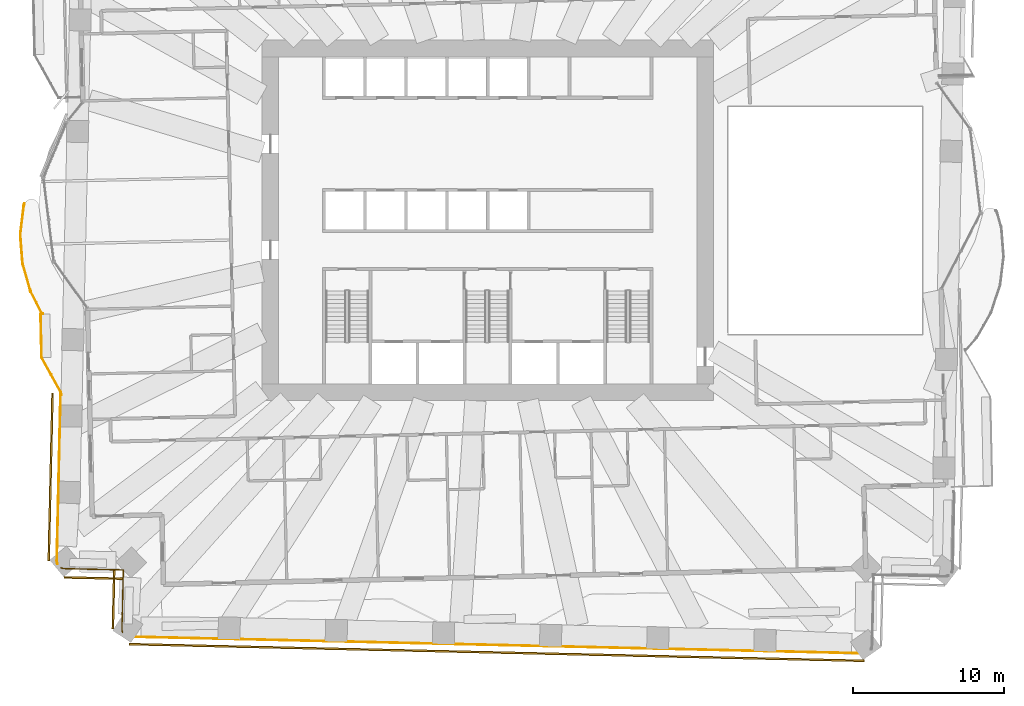
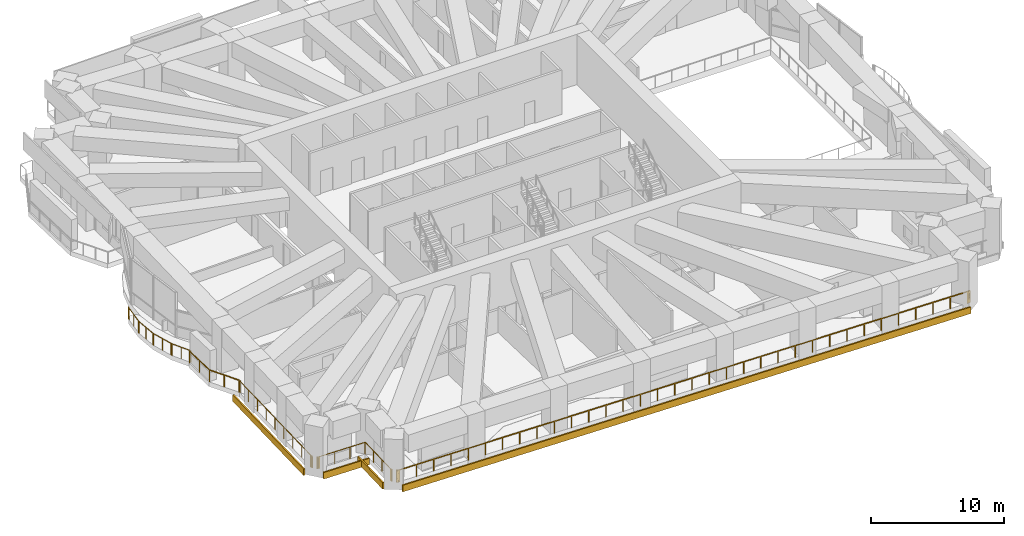
# One storey, part 16 of 20: 5 railings, 4 coverings.
"""IFC4 building model written with IfcOpenShell, lengths in metres."""

from ifc_helpers import new_model, si_unit, direction, frame, frame_2d, origin, origin_2d, place, context, subcontext, project, spatial, rectangle, extrude, material, layer, layer_set, type_object, element, save


model = new_model("IFC4")

# Units and contexts
model_context = context("Model", 3, precision=1e-05, world=origin(), true_north=direction((0.0, 1.0)))
body_context = subcontext(model_context, "Body", "Model", "MODEL_VIEW")
ifc_project = project(units=[si_unit("LENGTHUNIT", "METRE"), si_unit("AREAUNIT", "SQUARE_METRE"), si_unit("VOLUMEUNIT", "CUBIC_METRE"), si_unit("PLANEANGLEUNIT", "RADIAN"), si_unit("MASSUNIT", "GRAM", prefix="KILO")], contexts=[model_context])

# Site, building, storey
site_placement = place(None, origin())
site = spatial("IfcSite", under=ifc_project, at=site_placement, CompositionType="ELEMENT")
building_placement = place(site_placement, origin())
building = spatial("IfcBuilding", under=site, at=building_placement, Name="Mangrove Gate Tower", CompositionType="ELEMENT")
storey_placement = place(building_placement, frame((0.0, 0.0, 74.699951171875)))
storey = spatial("IfcBuildingStorey", under=building, at=storey_placement, Name="L18", CompositionType="ELEMENT", Elevation=74.699951171875)

# Railings
ifc_material_1 = material(Name="Stainless steel grade 316 with laminated glass infill", Category="steel")
railing_type = type_object("IfcRailingType", Name="Balcony guard 1100", PredefinedType="GUARDRAIL", material=ifc_material_1)
railing_1_placement = place(storey_placement, frame((-29.51611328125, -6.18505859375, 0.0)))
element("IfcRailing", 1, at=railing_1_placement, inside=storey, type_object=railing_type, Name="GUARD L18 W2", PredefinedType="GUARDRAIL", context=body_context, shape_type="SweptSolid", body=[
    extrude(rectangle(XDim=0.048095703125, YDim=0.048095703125, at=origin_2d()), frame((0.0, 0.0, 1.076171875), z_axis=(0.02269244629, -0.999742493286, 0.0), x_axis=(0.999742493286, 0.02269244629, 0.0)), (0.0, 0.0, 1.0), 2.87255859375),
    extrude(rectangle(XDim=0.048095703125, YDim=0.048095703125, at=origin_2d()), frame((0.065185546875, -2.871826171875, 1.076171875), z_axis=(0.487331051883, -0.873217295907, 0.0), x_axis=(0.873217295907, 0.487331051883, 0.0)), (0.0, 0.0, 1.0), 2.589599609375),
    extrude(rectangle(XDim=0.0419921875, YDim=0.0419921875, at=origin_2d()), origin(), (0.0, 0.0, 1.0), 1.052001953125),
    extrude(rectangle(XDim=0.0419921875, YDim=0.0419921875, at=origin_2d()), frame((0.03271484375, -1.43603515625, 0.0)), (0.0, 0.0, 1.0), 1.052001953125),
    extrude(rectangle(XDim=0.0419921875, YDim=0.0419921875, at=origin_2d()), frame((0.065185546875, -2.871826171875, 0.0)), (0.0, 0.0, 1.0), 1.052001953125),
    extrude(rectangle(XDim=0.0419921875, YDim=0.0419921875, at=origin_2d()), frame((0.6962890625, -4.00244140625, 0.0)), (0.0, 0.0, 1.0), 1.052001953125),
    extrude(rectangle(XDim=0.0419921875, YDim=0.0419921875, at=origin_2d()), frame((1.3271484375, -5.133056640625, 0.0)), (0.0, 0.0, 1.0), 1.052001953125),
])
railing_2_placement = place(storey_placement, frame((-29.360107421875, -6.159912109375, 0.0)))
element("IfcRailing", 2, at=railing_2_placement, inside=storey, type_object=railing_type, Name="GUARD L18 T3.1", PredefinedType="GUARDRAIL", context=body_context, shape_type="SweptSolid", body=[
    extrude(rectangle(XDim=0.048095703125, YDim=0.048095703125, at=origin_2d()), frame((0.0, 0.0, 1.076171875), z_axis=(-0.999847482507, -0.017464584847, 0.0), x_axis=(0.017464584847, -0.999847482507, 0.0)), (0.0, 0.0, 1.0), 0.055908203125),
    extrude(rectangle(XDim=0.048095703125, YDim=0.048095703125, at=origin_2d()), frame((-0.055908203125, -0.0009765625, 1.076171875), z_axis=(-0.458445495412, 0.888722525728, 0.0), x_axis=(-0.888722525728, -0.458445495412, 0.0)), (0.0, 0.0, 1.0), 1.63818359375),
    extrude(rectangle(XDim=0.048095703125, YDim=0.048095703125, at=origin_2d()), frame((-0.806884765625, 1.454833984375, 1.076171875), z_axis=(-0.405221240895, 0.914218653238, 0.0), x_axis=(-0.914218653238, -0.405221240895, 0.0)), (0.0, 0.0, 1.0), 0.04931640625),
    extrude(rectangle(XDim=0.048095703125, YDim=0.048095703125, at=origin_2d()), frame((-0.826904296875, 1.5, 1.076171875), z_axis=(-0.314774589417, 0.949166454242, 0.0), x_axis=(-0.949166454242, -0.314774589417, 0.0)), (0.0, 0.0, 1.0), 0.05029296875),
    extrude(rectangle(XDim=0.048095703125, YDim=0.048095703125, at=origin_2d()), frame((-0.8427734375, 1.5478515625, 1.076171875), z_axis=(-0.273724656823, 0.961808095333, 0.0), x_axis=(-0.961808095333, -0.273724656823, 0.0)), (0.0, 0.0, 1.0), 1.8125),
    extrude(rectangle(XDim=0.048095703125, YDim=0.048095703125, at=origin_2d()), frame((-1.3388671875, 3.291015625, 1.076171875), z_axis=(-0.219512195122, 0.975609756098, 0.0), x_axis=(-0.975609756098, -0.219512195122, 0.0)), (0.0, 0.0, 1.0), 0.050048828125),
    extrude(rectangle(XDim=0.048095703125, YDim=0.048095703125, at=origin_2d()), frame((-1.349853515625, 3.33984375, 1.076171875), z_axis=(-0.123427070371, 0.992353645783, 0.0), x_axis=(-0.992353645783, -0.123427070371, 0.0)), (0.0, 0.0, 1.0), 0.049560546875),
    extrude(rectangle(XDim=0.048095703125, YDim=0.048095703125, at=origin_2d()), frame((-1.35595703125, 3.388916015625, 1.076171875), z_axis=(-0.07713916449, 0.99702033545, 0.0), x_axis=(-0.99702033545, -0.07713916449, 0.0)), (0.0, 0.0, 1.0), 1.8134765625),
    extrude(rectangle(XDim=0.048095703125, YDim=0.048095703125, at=origin_2d()), frame((-1.495849609375, 5.197021484375, 1.076171875), z_axis=(-0.019604074934, 0.999807821657, 0.0), x_axis=(-0.999807821657, -0.019604074934, 0.0)), (0.0, 0.0, 1.0), 0.0498046875),
    extrude(rectangle(XDim=0.048095703125, YDim=0.048095703125, at=origin_2d()), frame((-1.496826171875, 5.246826171875, 1.076171875), z_axis=(0.059595380047, 0.998222615791, 0.0), x_axis=(-0.998222615791, 0.059595380047, 0.0)), (0.0, 0.0, 1.0), 0.049072265625),
    extrude(rectangle(XDim=0.048095703125, YDim=0.048095703125, at=origin_2d()), frame((-1.493896484375, 5.2958984375, 1.076171875), z_axis=(0.122426666304, 0.992477562153, 0.0), x_axis=(-0.992477562153, 0.122426666304, 0.0)), (0.0, 0.0, 1.0), 1.812744140625),
    extrude(rectangle(XDim=0.048095703125, YDim=0.048095703125, at=origin_2d()), frame((-1.27197265625, 7.094970703125, 1.076171875), z_axis=(0.158929596648, 0.98728991857, 0.0), x_axis=(-0.98728991857, 0.158929596648, 0.0)), (0.0, 0.0, 1.0), 0.05078125),
    extrude(rectangle(XDim=0.048095703125, YDim=0.048095703125, at=origin_2d()), frame((-1.263916015625, 7.14501953125, 1.076171875), z_axis=(0.279247415681, 0.960219183747, 0.0), x_axis=(-0.960219183747, 0.279247415681, 0.0)), (0.0, 0.0, 1.0), 0.0498046875),
    extrude(rectangle(XDim=0.048095703125, YDim=0.048095703125, at=origin_2d()), frame((-1.25, 7.19287109375, 1.076171875), z_axis=(0.325745820547, 0.945457381587, 0.0), x_axis=(-0.945457381587, 0.325745820547, 0.0)), (0.0, 0.0, 1.0), 0.03076171875),
    extrude(rectangle(XDim=0.048095703125, YDim=0.048095703125, at=origin_2d()), frame((-1.239990234375, 7.221923828125, 1.076171875), z_axis=(0.366264831108, 0.930510652004, 0.0), x_axis=(-0.930510652004, 0.366264831108, 0.0)), (0.0, 0.0, 1.0), 0.04931640625),
    extrude(rectangle(XDim=0.0419921875, YDim=0.0419921875, at=origin_2d()), origin(), (0.0, 0.0, 1.0), 1.052001953125),
    extrude(rectangle(XDim=0.0419921875, YDim=0.0419921875, at=origin_2d()), frame((-0.055908203125, -0.0009765625, 0.0)), (0.0, 0.0, 1.0), 1.052001953125),
    extrude(rectangle(XDim=0.0419921875, YDim=0.0419921875, at=origin_2d()), frame((-0.431396484375, 0.72705078125, 0.0)), (0.0, 0.0, 1.0), 1.052001953125),
    extrude(rectangle(XDim=0.0419921875, YDim=0.0419921875, at=origin_2d()), frame((-0.806884765625, 1.454833984375, 0.0)), (0.0, 0.0, 1.0), 1.052001953125),
    extrude(rectangle(XDim=0.0419921875, YDim=0.0419921875, at=origin_2d()), frame((-0.826904296875, 1.5, 0.0)), (0.0, 0.0, 1.0), 1.052001953125),
    extrude(rectangle(XDim=0.0419921875, YDim=0.0419921875, at=origin_2d()), frame((-0.8427734375, 1.5478515625, 0.0)), (0.0, 0.0, 1.0), 1.052001953125),
    extrude(rectangle(XDim=0.0419921875, YDim=0.0419921875, at=origin_2d()), frame((-1.0908203125, 2.41943359375, 0.0)), (0.0, 0.0, 1.0), 1.052001953125),
    extrude(rectangle(XDim=0.0419921875, YDim=0.0419921875, at=origin_2d()), frame((-1.3388671875, 3.291015625, 0.0)), (0.0, 0.0, 1.0), 1.052001953125),
    extrude(rectangle(XDim=0.0419921875, YDim=0.0419921875, at=origin_2d()), frame((-1.349853515625, 3.33984375, 0.0)), (0.0, 0.0, 1.0), 1.052001953125),
    extrude(rectangle(XDim=0.0419921875, YDim=0.0419921875, at=origin_2d()), frame((-1.35595703125, 3.388916015625, 0.0)), (0.0, 0.0, 1.0), 1.052001953125),
    extrude(rectangle(XDim=0.0419921875, YDim=0.0419921875, at=origin_2d()), frame((-1.42578125, 4.29296875, 0.0)), (0.0, 0.0, 1.0), 1.052001953125),
    extrude(rectangle(XDim=0.0419921875, YDim=0.0419921875, at=origin_2d()), frame((-1.495849609375, 5.197021484375, 0.0)), (0.0, 0.0, 1.0), 1.052001953125),
    extrude(rectangle(XDim=0.0419921875, YDim=0.0419921875, at=origin_2d()), frame((-1.496826171875, 5.246826171875, 0.0)), (0.0, 0.0, 1.0), 1.052001953125),
    extrude(rectangle(XDim=0.0419921875, YDim=0.0419921875, at=origin_2d()), frame((-1.493896484375, 5.2958984375, 0.0)), (0.0, 0.0, 1.0), 1.052001953125),
    extrude(rectangle(XDim=0.0419921875, YDim=0.0419921875, at=origin_2d()), frame((-1.3828125, 6.1953125, 0.0)), (0.0, 0.0, 1.0), 1.052001953125),
    extrude(rectangle(XDim=0.0419921875, YDim=0.0419921875, at=origin_2d()), frame((-1.27197265625, 7.094970703125, 0.0)), (0.0, 0.0, 1.0), 1.052001953125),
    extrude(rectangle(XDim=0.0419921875, YDim=0.0419921875, at=origin_2d()), frame((-1.263916015625, 7.14501953125, 0.0)), (0.0, 0.0, 1.0), 1.052001953125),
    extrude(rectangle(XDim=0.0419921875, YDim=0.0419921875, at=origin_2d()), frame((-1.25, 7.19287109375, 0.0)), (0.0, 0.0, 1.0), 1.052001953125),
    extrude(rectangle(XDim=0.0419921875, YDim=0.0419921875, at=origin_2d()), frame((-1.239990234375, 7.221923828125, 0.0)), (0.0, 0.0, 1.0), 1.052001953125),
    extrude(rectangle(XDim=0.0419921875, YDim=0.0419921875, at=origin_2d()), frame((-1.221923828125, 7.267822265625, 0.0)), (0.0, 0.0, 1.0), 1.052001953125),
])
railing_3_placement = place(storey_placement, frame((25.0810546875, -28.5400390625, 0.0)))
element("IfcRailing", 3, at=railing_3_placement, inside=storey, type_object=railing_type, Name="GUARD L18 T4.4", PredefinedType="GUARDRAIL", context=body_context, shape_type="SweptSolid", body=[
    extrude(rectangle(XDim=0.048095703125, YDim=0.048095703125, at=origin_2d()), frame((0.0, 0.0, 1.076171875), z_axis=(-0.921797458045, -0.38767182815, 0.0), x_axis=(0.38767182815, -0.921797458045, 0.0)), (0.0, 0.0, 1.0), 0.0283203125),
    extrude(rectangle(XDim=0.048095703125, YDim=0.048095703125, at=origin_2d()), frame((-0.026123046875, -0.010986328125, 1.076171875), z_axis=(-0.95118268282, -0.308628423681, 0.0), x_axis=(0.308628423681, -0.95118268282, 0.0)), (0.0, 0.0, 1.0), 0.04833984375),
    extrude(rectangle(XDim=0.048095703125, YDim=0.048095703125, at=origin_2d()), frame((-0.072021484375, -0.02587890625, 1.076171875), z_axis=(-0.974889210585, -0.222690428814, 0.0), x_axis=(0.222690428814, -0.974889210585, 0.0)), (0.0, 0.0, 1.0), 0.04931640625),
    extrude(rectangle(XDim=0.048095703125, YDim=0.048095703125, at=origin_2d()), frame((-0.1201171875, -0.036865234375, 1.076171875), z_axis=(-0.992277876714, -0.124034734589, 0.0), x_axis=(0.124034734589, -0.992277876714, 0.0)), (0.0, 0.0, 1.0), 0.04931640625),
    extrude(rectangle(XDim=0.048095703125, YDim=0.048095703125, at=origin_2d()), frame((-0.1689453125, -0.04296875, 1.076171875), z_axis=(-0.999208880195, -0.039769507669, 0.0), x_axis=(0.039769507669, -0.999208880195, 0.0)), (0.0, 0.0, 1.0), 0.049072265625),
    extrude(rectangle(XDim=0.048095703125, YDim=0.048095703125, at=origin_2d()), frame((-0.218017578125, -0.044921875, 1.076171875), z_axis=(-0.999742650304, 0.022685527601, 0.0), x_axis=(-0.022685527601, -0.999742650304, 0.0)), (0.0, 0.0, 1.0), 48.536376953125),
    extrude(rectangle(XDim=0.048095703125, YDim=0.048095703125, at=origin_2d()), frame((-48.741943359375, 1.05615234375, 1.076171875), z_axis=(-0.996846739125, 0.079350984209, 0.0), x_axis=(-0.079350984209, -0.996846739125, 0.0)), (0.0, 0.0, 1.0), 0.04931640625),
    extrude(rectangle(XDim=0.048095703125, YDim=0.048095703125, at=origin_2d()), frame((-48.791015625, 1.06005859375, 1.076171875), z_axis=(-0.986258281976, 0.165210778199, 0.0), x_axis=(-0.165210778199, -0.986258281976, 0.0)), (0.0, 0.0, 1.0), 0.048828125),
    extrude(rectangle(XDim=0.048095703125, YDim=0.048095703125, at=origin_2d()), frame((-48.839111328125, 1.068115234375, 1.076171875), z_axis=(-0.963948224108, 0.266089874363, 0.0), x_axis=(-0.266089874363, -0.963948224108, 0.0)), (0.0, 0.0, 1.0), 0.048583984375),
    extrude(rectangle(XDim=0.048095703125, YDim=0.048095703125, at=origin_2d()), frame((-48.885986328125, 1.0810546875, 1.076171875), z_axis=(-0.931170070305, 0.364585106892, 0.0), x_axis=(-0.364585106892, -0.931170070305, 0.0)), (0.0, 0.0, 1.0), 0.049560546875),
    extrude(rectangle(XDim=0.048095703125, YDim=0.048095703125, at=origin_2d()), frame((-48.93212890625, 1.09912109375, 1.076171875), z_axis=(-0.901385111422, 0.43301833784, 0.0), x_axis=(-0.43301833784, -0.901385111422, 0.0)), (0.0, 0.0, 1.0), 0.027587890625),
    extrude(rectangle(XDim=0.0419921875, YDim=0.0419921875, at=origin_2d()), origin(), (0.0, 0.0, 1.0), 1.052001953125),
    extrude(rectangle(XDim=0.0419921875, YDim=0.0419921875, at=origin_2d()), frame((-0.026123046875, -0.010986328125, 0.0)), (0.0, 0.0, 1.0), 1.052001953125),
    extrude(rectangle(XDim=0.0419921875, YDim=0.0419921875, at=origin_2d()), frame((-0.072021484375, -0.02587890625, 0.0)), (0.0, 0.0, 1.0), 1.052001953125),
    extrude(rectangle(XDim=0.0419921875, YDim=0.0419921875, at=origin_2d()), frame((-0.1201171875, -0.036865234375, 0.0)), (0.0, 0.0, 1.0), 1.052001953125),
    extrude(rectangle(XDim=0.0419921875, YDim=0.0419921875, at=origin_2d()), frame((-0.1689453125, -0.04296875, 0.0)), (0.0, 0.0, 1.0), 1.052001953125),
    extrude(rectangle(XDim=0.0419921875, YDim=0.0419921875, at=origin_2d()), frame((-0.218017578125, -0.044921875, 0.0)), (0.0, 0.0, 1.0), 1.052001953125),
    extrude(rectangle(XDim=0.0419921875, YDim=0.0419921875, at=origin_2d()), frame((-1.6884765625, -0.011474609375, 0.0)), (0.0, 0.0, 1.0), 1.052001953125),
    extrude(rectangle(XDim=0.0419921875, YDim=0.0419921875, at=origin_2d()), frame((-3.158935546875, 0.021728515625, 0.0)), (0.0, 0.0, 1.0), 1.052001953125),
    extrude(rectangle(XDim=0.0419921875, YDim=0.0419921875, at=origin_2d()), frame((-4.62939453125, 0.05517578125, 0.0)), (0.0, 0.0, 1.0), 1.052001953125),
    extrude(rectangle(XDim=0.0419921875, YDim=0.0419921875, at=origin_2d()), frame((-6.099609375, 0.088623046875, 0.0)), (0.0, 0.0, 1.0), 1.052001953125),
    extrude(rectangle(XDim=0.0419921875, YDim=0.0419921875, at=origin_2d()), frame((-7.570068359375, 0.121826171875, 0.0)), (0.0, 0.0, 1.0), 1.052001953125),
    extrude(rectangle(XDim=0.0419921875, YDim=0.0419921875, at=origin_2d()), frame((-9.04052734375, 0.1552734375, 0.0)), (0.0, 0.0, 1.0), 1.052001953125),
    extrude(rectangle(XDim=0.0419921875, YDim=0.0419921875, at=origin_2d()), frame((-10.510986328125, 0.188720703125, 0.0)), (0.0, 0.0, 1.0), 1.052001953125),
    extrude(rectangle(XDim=0.0419921875, YDim=0.0419921875, at=origin_2d()), frame((-11.9814453125, 0.221923828125, 0.0)), (0.0, 0.0, 1.0), 1.052001953125),
    extrude(rectangle(XDim=0.0419921875, YDim=0.0419921875, at=origin_2d()), frame((-13.451904296875, 0.25537109375, 0.0)), (0.0, 0.0, 1.0), 1.052001953125),
    extrude(rectangle(XDim=0.0419921875, YDim=0.0419921875, at=origin_2d()), frame((-14.922119140625, 0.288818359375, 0.0)), (0.0, 0.0, 1.0), 1.052001953125),
    extrude(rectangle(XDim=0.0419921875, YDim=0.0419921875, at=origin_2d()), frame((-16.392578125, 0.322021484375, 0.0)), (0.0, 0.0, 1.0), 1.052001953125),
    extrude(rectangle(XDim=0.0419921875, YDim=0.0419921875, at=origin_2d()), frame((-17.863037109375, 0.35546875, 0.0)), (0.0, 0.0, 1.0), 1.052001953125),
    extrude(rectangle(XDim=0.0419921875, YDim=0.0419921875, at=origin_2d()), frame((-19.33349609375, 0.388916015625, 0.0)), (0.0, 0.0, 1.0), 1.052001953125),
    extrude(rectangle(XDim=0.0419921875, YDim=0.0419921875, at=origin_2d()), frame((-20.803955078125, 0.422119140625, 0.0)), (0.0, 0.0, 1.0), 1.052001953125),
    extrude(rectangle(XDim=0.0419921875, YDim=0.0419921875, at=origin_2d()), frame((-22.2744140625, 0.45556640625, 0.0)), (0.0, 0.0, 1.0), 1.052001953125),
    extrude(rectangle(XDim=0.0419921875, YDim=0.0419921875, at=origin_2d()), frame((-23.744873046875, 0.489013671875, 0.0)), (0.0, 0.0, 1.0), 1.052001953125),
    extrude(rectangle(XDim=0.0419921875, YDim=0.0419921875, at=origin_2d()), frame((-25.215087890625, 0.522216796875, 0.0)), (0.0, 0.0, 1.0), 1.052001953125),
    extrude(rectangle(XDim=0.0419921875, YDim=0.0419921875, at=origin_2d()), frame((-26.685546875, 0.5556640625, 0.0)), (0.0, 0.0, 1.0), 1.052001953125),
    extrude(rectangle(XDim=0.0419921875, YDim=0.0419921875, at=origin_2d()), frame((-28.156005859375, 0.589111328125, 0.0)), (0.0, 0.0, 1.0), 1.052001953125),
    extrude(rectangle(XDim=0.0419921875, YDim=0.0419921875, at=origin_2d()), frame((-29.62646484375, 0.622314453125, 0.0)), (0.0, 0.0, 1.0), 1.052001953125),
    extrude(rectangle(XDim=0.0419921875, YDim=0.0419921875, at=origin_2d()), frame((-31.096923828125, 0.65576171875, 0.0)), (0.0, 0.0, 1.0), 1.052001953125),
    extrude(rectangle(XDim=0.0419921875, YDim=0.0419921875, at=origin_2d()), frame((-32.5673828125, 0.689208984375, 0.0)), (0.0, 0.0, 1.0), 1.052001953125),
    extrude(rectangle(XDim=0.0419921875, YDim=0.0419921875, at=origin_2d()), frame((-34.037841796875, 0.722412109375, 0.0)), (0.0, 0.0, 1.0), 1.052001953125),
    extrude(rectangle(XDim=0.0419921875, YDim=0.0419921875, at=origin_2d()), frame((-35.508056640625, 0.755859375, 0.0)), (0.0, 0.0, 1.0), 1.052001953125),
    extrude(rectangle(XDim=0.0419921875, YDim=0.0419921875, at=origin_2d()), frame((-36.978515625, 0.789306640625, 0.0)), (0.0, 0.0, 1.0), 1.052001953125),
    extrude(rectangle(XDim=0.0419921875, YDim=0.0419921875, at=origin_2d()), frame((-38.448974609375, 0.822509765625, 0.0)), (0.0, 0.0, 1.0), 1.052001953125),
    extrude(rectangle(XDim=0.0419921875, YDim=0.0419921875, at=origin_2d()), frame((-39.91943359375, 0.85595703125, 0.0)), (0.0, 0.0, 1.0), 1.052001953125),
    extrude(rectangle(XDim=0.0419921875, YDim=0.0419921875, at=origin_2d()), frame((-41.389892578125, 0.889404296875, 0.0)), (0.0, 0.0, 1.0), 1.052001953125),
    extrude(rectangle(XDim=0.0419921875, YDim=0.0419921875, at=origin_2d()), frame((-42.8603515625, 0.922607421875, 0.0)), (0.0, 0.0, 1.0), 1.052001953125),
    extrude(rectangle(XDim=0.0419921875, YDim=0.0419921875, at=origin_2d()), frame((-44.33056640625, 0.9560546875, 0.0)), (0.0, 0.0, 1.0), 1.052001953125),
    extrude(rectangle(XDim=0.0419921875, YDim=0.0419921875, at=origin_2d()), frame((-45.801025390625, 0.989501953125, 0.0)), (0.0, 0.0, 1.0), 1.052001953125),
    extrude(rectangle(XDim=0.0419921875, YDim=0.0419921875, at=origin_2d()), frame((-47.271484375, 1.022705078125, 0.0)), (0.0, 0.0, 1.0), 1.052001953125),
    extrude(rectangle(XDim=0.0419921875, YDim=0.0419921875, at=origin_2d()), frame((-48.741943359375, 1.05615234375, 0.0)), (0.0, 0.0, 1.0), 1.052001953125),
    extrude(rectangle(XDim=0.0419921875, YDim=0.0419921875, at=origin_2d()), frame((-48.791015625, 1.06005859375, 0.0)), (0.0, 0.0, 1.0), 1.052001953125),
    extrude(rectangle(XDim=0.0419921875, YDim=0.0419921875, at=origin_2d()), frame((-48.839111328125, 1.068115234375, 0.0)), (0.0, 0.0, 1.0), 1.052001953125),
    extrude(rectangle(XDim=0.0419921875, YDim=0.0419921875, at=origin_2d()), frame((-48.885986328125, 1.0810546875, 0.0)), (0.0, 0.0, 1.0), 1.052001953125),
    extrude(rectangle(XDim=0.0419921875, YDim=0.0419921875, at=origin_2d()), frame((-48.93212890625, 1.09912109375, 0.0)), (0.0, 0.0, 1.0), 1.052001953125),
    extrude(rectangle(XDim=0.0419921875, YDim=0.0419921875, at=origin_2d()), frame((-48.95703125, 1.111083984375, 0.0)), (0.0, 0.0, 1.0), 1.052001953125),
])
railing_4_placement = place(storey_placement, frame((-24.10400390625, -27.18994140625, 0.0)))
element("IfcRailing", 4, at=railing_4_placement, inside=storey, type_object=railing_type, Name="GUARD L18 T4.5", PredefinedType="GUARDRAIL", context=body_context, shape_type="SweptSolid", body=[
    extrude(rectangle(XDim=0.048095703125, YDim=0.048095703125, at=origin_2d()), frame((0.0, 0.0, 1.076171875), z_axis=(-0.390772844543, 0.920487144923, 0.0), x_axis=(-0.920487144923, -0.390772844543, 0.0)), (0.0, 0.0, 1.0), 0.028076171875),
    extrude(rectangle(XDim=0.048095703125, YDim=0.048095703125, at=origin_2d()), frame((-0.010986328125, 0.02587890625, 1.076171875), z_axis=(-0.329682832837, 0.944091748578, 0.0), x_axis=(-0.944091748578, -0.329682832837, 0.0)), (0.0, 0.0, 1.0), 0.048828125),
    extrude(rectangle(XDim=0.048095703125, YDim=0.048095703125, at=origin_2d()), frame((-0.027099609375, 0.072021484375, 1.076171875), z_axis=(-0.223769850009, 0.974642013371, 0.0), x_axis=(-0.974642013371, -0.223769850009, 0.0)), (0.0, 0.0, 1.0), 0.049072265625),
    extrude(rectangle(XDim=0.048095703125, YDim=0.048095703125, at=origin_2d()), frame((-0.0380859375, 0.119873046875, 1.076171875), z_axis=(-0.118560811125, 0.992946793169, 0.0), x_axis=(-0.992946793169, -0.118560811125, 0.0)), (0.0, 0.0, 1.0), 0.04931640625),
    extrude(rectangle(XDim=0.048095703125, YDim=0.048095703125, at=origin_2d()), frame((-0.0439453125, 0.1689453125, 1.076171875), z_axis=(-0.019896558087, 0.999802043895, 0.0), x_axis=(-0.999802043895, -0.019896558087, 0.0)), (0.0, 0.0, 1.0), 0.049072265625),
    extrude(rectangle(XDim=0.048095703125, YDim=0.048095703125, at=origin_2d()), frame((-0.044921875, 0.218017578125, 1.076171875), z_axis=(0.022611544731, 0.999744326338, 0.0), x_axis=(-0.999744326338, 0.022611544731, 0.0)), (0.0, 0.0, 1.0), 3.886962890625),
    extrude(rectangle(XDim=0.048095703125, YDim=0.048095703125, at=origin_2d()), frame((0.04296875, 4.10400390625, 1.076171875), z_axis=(0.0, 1.0, 0.0), x_axis=(-1.0, 0.0, 0.0)), (0.0, 0.0, 1.0), 0.011962890625),
    extrude(rectangle(XDim=0.048095703125, YDim=0.048095703125, at=origin_2d()), frame((0.04296875, 4.115966796875, 1.076171875), z_axis=(-0.996684615823, 0.081362009455, 0.0), x_axis=(-0.081362009455, -0.996684615823, 0.0)), (0.0, 0.0, 1.0), 0.011962890625),
    extrude(rectangle(XDim=0.048095703125, YDim=0.048095703125, at=origin_2d()), frame((0.031005859375, 4.116943359375, 1.076171875), z_axis=(-0.999744454744, 0.022605866699, 0.0), x_axis=(-0.022605866699, -0.999744454744, 0.0)), (0.0, 0.0, 1.0), 3.887939453125),
    extrude(rectangle(XDim=0.048095703125, YDim=0.048095703125, at=origin_2d()), frame((-3.85595703125, 4.204833984375, 1.076171875), z_axis=(-0.996442430759, 0.084276225487, 0.0), x_axis=(-0.084276225487, -0.996442430759, 0.0)), (0.0, 0.0, 1.0), 0.04931640625),
    extrude(rectangle(XDim=0.048095703125, YDim=0.048095703125, at=origin_2d()), frame((-3.905029296875, 4.208984375, 1.076171875), z_axis=(-0.986120615914, 0.166030511863, 0.0), x_axis=(-0.166030511863, -0.986120615914, 0.0)), (0.0, 0.0, 1.0), 0.048583984375),
    extrude(rectangle(XDim=0.048095703125, YDim=0.048095703125, at=origin_2d()), frame((-3.952880859375, 4.217041015625, 1.076171875), z_axis=(-0.964301134924, 0.264808083684, 0.0), x_axis=(-0.264808083684, -0.964301134924, 0.0)), (0.0, 0.0, 1.0), 0.048828125),
    extrude(rectangle(XDim=0.048095703125, YDim=0.048095703125, at=origin_2d()), frame((-4.0, 4.22998046875, 1.076171875), z_axis=(-0.930510652004, 0.366264831108, 0.0), x_axis=(-0.366264831108, -0.930510652004, 0.0)), (0.0, 0.0, 1.0), 0.04931640625),
    extrude(rectangle(XDim=0.048095703125, YDim=0.048095703125, at=origin_2d()), frame((-4.0458984375, 4.248046875, 1.076171875), z_axis=(-0.903022510302, 0.429593233056, 0.0), x_axis=(-0.429593233056, -0.903022510302, 0.0)), (0.0, 0.0, 1.0), 0.02783203125),
    extrude(rectangle(XDim=0.0419921875, YDim=0.0419921875, at=origin_2d()), origin(), (0.0, 0.0, 1.0), 1.052001953125),
    extrude(rectangle(XDim=0.0419921875, YDim=0.0419921875, at=origin_2d()), frame((-0.010986328125, 0.02587890625, 0.0)), (0.0, 0.0, 1.0), 1.052001953125),
    extrude(rectangle(XDim=0.0419921875, YDim=0.0419921875, at=origin_2d()), frame((-0.027099609375, 0.072021484375, 0.0)), (0.0, 0.0, 1.0), 1.052001953125),
    extrude(rectangle(XDim=0.0419921875, YDim=0.0419921875, at=origin_2d()), frame((-0.0380859375, 0.119873046875, 0.0)), (0.0, 0.0, 1.0), 1.052001953125),
    extrude(rectangle(XDim=0.0419921875, YDim=0.0419921875, at=origin_2d()), frame((-0.0439453125, 0.1689453125, 0.0)), (0.0, 0.0, 1.0), 1.052001953125),
    extrude(rectangle(XDim=0.0419921875, YDim=0.0419921875, at=origin_2d()), frame((-0.044921875, 0.218017578125, 0.0)), (0.0, 0.0, 1.0), 1.052001953125),
    extrude(rectangle(XDim=0.0419921875, YDim=0.0419921875, at=origin_2d()), frame((-0.015625, 1.513427734375, 0.0)), (0.0, 0.0, 1.0), 1.052001953125),
    extrude(rectangle(XDim=0.0419921875, YDim=0.0419921875, at=origin_2d()), frame((0.013671875, 2.80859375, 0.0)), (0.0, 0.0, 1.0), 1.052001953125),
    extrude(rectangle(XDim=0.0419921875, YDim=0.0419921875, at=origin_2d()), frame((0.04296875, 4.10400390625, 0.0)), (0.0, 0.0, 1.0), 1.052001953125),
    extrude(rectangle(XDim=0.0419921875, YDim=0.0419921875, at=origin_2d()), frame((0.04296875, 4.115966796875, 0.0)), (0.0, 0.0, 1.0), 1.052001953125),
    extrude(rectangle(XDim=0.0419921875, YDim=0.0419921875, at=origin_2d()), frame((0.031005859375, 4.116943359375, 0.0)), (0.0, 0.0, 1.0), 1.052001953125),
    extrude(rectangle(XDim=0.0419921875, YDim=0.0419921875, at=origin_2d()), frame((-1.2646484375, 4.146240234375, 0.0)), (0.0, 0.0, 1.0), 1.052001953125),
    extrude(rectangle(XDim=0.0419921875, YDim=0.0419921875, at=origin_2d()), frame((-2.560302734375, 4.175537109375, 0.0)), (0.0, 0.0, 1.0), 1.052001953125),
    extrude(rectangle(XDim=0.0419921875, YDim=0.0419921875, at=origin_2d()), frame((-3.85595703125, 4.204833984375, 0.0)), (0.0, 0.0, 1.0), 1.052001953125),
    extrude(rectangle(XDim=0.0419921875, YDim=0.0419921875, at=origin_2d()), frame((-3.905029296875, 4.208984375, 0.0)), (0.0, 0.0, 1.0), 1.052001953125),
    extrude(rectangle(XDim=0.0419921875, YDim=0.0419921875, at=origin_2d()), frame((-3.952880859375, 4.217041015625, 0.0)), (0.0, 0.0, 1.0), 1.052001953125),
    extrude(rectangle(XDim=0.0419921875, YDim=0.0419921875, at=origin_2d()), frame((-4.0, 4.22998046875, 0.0)), (0.0, 0.0, 1.0), 1.052001953125),
    extrude(rectangle(XDim=0.0419921875, YDim=0.0419921875, at=origin_2d()), frame((-4.0458984375, 4.248046875, 0.0)), (0.0, 0.0, 1.0), 1.052001953125),
    extrude(rectangle(XDim=0.0419921875, YDim=0.0419921875, at=origin_2d()), frame((-4.071044921875, 4.260009765625, 0.0)), (0.0, 0.0, 1.0), 1.052001953125),
])
railing_5_placement = place(storey_placement, frame((-28.403076171875, -22.69091796875, 0.0)))
element("IfcRailing", 5, at=railing_5_placement, inside=storey, type_object=railing_type, Name="GUARD L18 T4.6", PredefinedType="GUARDRAIL", context=body_context, shape_type="SweptSolid", body=[
    extrude(rectangle(XDim=0.048095703125, YDim=0.048095703125, at=origin_2d()), frame((0.0, 0.0, 1.076171875), z_axis=(-0.403640206576, 0.914917801573, 0.0), x_axis=(-0.914917801573, -0.403640206576, 0.0)), (0.0, 0.0, 1.0), 0.027099609375),
    extrude(rectangle(XDim=0.048095703125, YDim=0.048095703125, at=origin_2d()), frame((-0.010986328125, 0.02490234375, 1.076171875), z_axis=(-0.319172448283, 0.947696654134, 0.0), x_axis=(-0.947696654134, -0.319172448283, 0.0)), (0.0, 0.0, 1.0), 0.0498046875),
    extrude(rectangle(XDim=0.048095703125, YDim=0.048095703125, at=origin_2d()), frame((-0.02685546875, 0.072021484375, 1.076171875), z_axis=(-0.223769850009, 0.974642013371, 0.0), x_axis=(-0.974642013371, -0.223769850009, 0.0)), (0.0, 0.0, 1.0), 0.049072265625),
    extrude(rectangle(XDim=0.048095703125, YDim=0.048095703125, at=origin_2d()), frame((-0.037841796875, 0.119873046875, 1.076171875), z_axis=(-0.125893872487, 0.992043715201, 0.0), x_axis=(-0.992043715201, -0.125893872487, 0.0)), (0.0, 0.0, 1.0), 0.048583984375),
    extrude(rectangle(XDim=0.048095703125, YDim=0.048095703125, at=origin_2d()), frame((-0.0439453125, 0.16796875, 1.076171875), z_axis=(-0.0199960012, 0.99980005998, 0.0), x_axis=(-0.99980005998, -0.0199960012, 0.0)), (0.0, 0.0, 1.0), 0.048828125),
    extrude(rectangle(XDim=0.048095703125, YDim=0.048095703125, at=origin_2d()), frame((-0.044921875, 0.216796875, 1.076171875), z_axis=(0.022694325823, 0.999742450622, 0.0), x_axis=(-0.999742450622, 0.022694325823, 0.0)), (0.0, 0.0, 1.0), 11.05908203125),
    extrude(rectangle(XDim=0.048095703125, YDim=0.048095703125, at=origin_2d()), frame((0.2060546875, 11.27294921875, 1.076171875), z_axis=(0.488376884402, -0.872632808678, 0.0), x_axis=(0.872632808678, 0.488376884402, 0.0)), (0.0, 0.0, 1.0), 0.098388671875),
    extrude(rectangle(XDim=0.0419921875, YDim=0.0419921875, at=origin_2d()), origin(), (0.0, 0.0, 1.0), 1.052001953125),
    extrude(rectangle(XDim=0.0419921875, YDim=0.0419921875, at=origin_2d()), frame((-0.010986328125, 0.02490234375, 0.0)), (0.0, 0.0, 1.0), 1.052001953125),
    extrude(rectangle(XDim=0.0419921875, YDim=0.0419921875, at=origin_2d()), frame((-0.02685546875, 0.072021484375, 0.0)), (0.0, 0.0, 1.0), 1.052001953125),
    extrude(rectangle(XDim=0.0419921875, YDim=0.0419921875, at=origin_2d()), frame((-0.037841796875, 0.119873046875, 0.0)), (0.0, 0.0, 1.0), 1.052001953125),
    extrude(rectangle(XDim=0.0419921875, YDim=0.0419921875, at=origin_2d()), frame((-0.0439453125, 0.16796875, 0.0)), (0.0, 0.0, 1.0), 1.052001953125),
    extrude(rectangle(XDim=0.0419921875, YDim=0.0419921875, at=origin_2d()), frame((-0.044921875, 0.216796875, 0.0)), (0.0, 0.0, 1.0), 1.052001953125),
    extrude(rectangle(XDim=0.0419921875, YDim=0.0419921875, at=origin_2d()), frame((-0.013671875, 1.598876953125, 0.0)), (0.0, 0.0, 1.0), 1.052001953125),
    extrude(rectangle(XDim=0.0419921875, YDim=0.0419921875, at=origin_2d()), frame((0.017822265625, 2.98095703125, 0.0)), (0.0, 0.0, 1.0), 1.052001953125),
    extrude(rectangle(XDim=0.0419921875, YDim=0.0419921875, at=origin_2d()), frame((0.04931640625, 4.36279296875, 0.0)), (0.0, 0.0, 1.0), 1.052001953125),
    extrude(rectangle(XDim=0.0419921875, YDim=0.0419921875, at=origin_2d()), frame((0.08056640625, 5.744873046875, 0.0)), (0.0, 0.0, 1.0), 1.052001953125),
    extrude(rectangle(XDim=0.0419921875, YDim=0.0419921875, at=origin_2d()), frame((0.11181640625, 7.126953125, 0.0)), (0.0, 0.0, 1.0), 1.052001953125),
    extrude(rectangle(XDim=0.0419921875, YDim=0.0419921875, at=origin_2d()), frame((0.143310546875, 8.5087890625, 0.0)), (0.0, 0.0, 1.0), 1.052001953125),
    extrude(rectangle(XDim=0.0419921875, YDim=0.0419921875, at=origin_2d()), frame((0.1748046875, 9.890869140625, 0.0)), (0.0, 0.0, 1.0), 1.052001953125),
    extrude(rectangle(XDim=0.0419921875, YDim=0.0419921875, at=origin_2d()), frame((0.2060546875, 11.27294921875, 0.0)), (0.0, 0.0, 1.0), 1.052001953125),
    extrude(rectangle(XDim=0.0419921875, YDim=0.0419921875, at=origin_2d()), frame((0.254150390625, 11.18701171875, 0.0)), (0.0, 0.0, 1.0), 1.052001953125),
])

# Coverings
ifc_material_2 = material(Name="Limestone", Category="masonry")
ifc_layer_1 = layer(ifc_material_2, 0.0400390625, Name="Limestone cladding")
ifc_material_3 = material(Name="Stainless steel anchors and cavity", Category="steel")
ifc_layer_2 = layer(ifc_material_3, 0.080078125, Name="Fixing cavity")
ifc_layer_set = layer_set([ifc_layer_1, ifc_layer_2], Name="Joint fascia cladding 120")
covering_type = type_object("IfcCoveringType", Name="Joint fascia cladding 120", PredefinedType="CLADDING", material=ifc_layer_set)
covering_1_placement = place(storey_placement, frame((24.85205078125, -29.072998046875, -0.599853515625), z_axis=(0.0, 0.0, 1.0), x_axis=(-0.999742652893, 0.022685413522, 0.0)))
element("IfcCovering", 6, at=covering_1_placement, inside=storey, type_object=covering_type, Name="STONE FASCIA L18 TB14-4.1", PredefinedType="CLADDING", context=body_context, shape_type="SweptSolid", body=[
    extrude(rectangle(XDim=48.53662109375, YDim=0.1201171875, at=frame_2d((24.268310546875, 0.0))), origin(), (0.0, 0.0, 1.0), 0.599853515625),
])
for number, where, z_axis, x_axis, name in (
    (7, (-24.7490234375, -26.958984375, -0.599853515625), (0.0, 0.0, 1.0), (0.022660262152, 0.999743223292, 0.0), "STONE FASCIA L18 TB14-5.1"),
    (8, (-24.07373046875, -23.6533203125, -0.599853515625), (0.0, 0.0, 1.0), (-0.999743223292, 0.022660262152, 0.0), "STONE FASCIA L18 TB14-5.2"),
):
    element("IfcCovering", number, at=place(storey_placement, frame(where, z_axis=z_axis, x_axis=x_axis)), inside=storey, type_object=covering_type, Name=name, PredefinedType="CLADDING", context=body_context, shape_type="SweptSolid", body=[
        extrude(rectangle(XDim=3.900146484375, YDim=0.1201171875, at=frame_2d((1.9501953125, 0.0))), origin(), (0.0, 0.0, 1.0), 0.599853515625),
    ])
covering_2_placement = place(storey_placement, frame((-28.985107421875, -22.4609375, -0.599853515625), z_axis=(0.0, 0.0, 1.0), x_axis=(0.022716892002, 0.999741938111, 0.0)))
element("IfcCovering", 9, at=covering_2_placement, inside=storey, type_object=covering_type, Name="STONE FASCIA L18 TB14-6.1", PredefinedType="CLADDING", context=body_context, shape_type="SweptSolid", body=[
    extrude(rectangle(XDim=11.058837890625, YDim=0.1201171875, at=frame_2d((5.529296875, 0.0))), origin(), (0.0, 0.0, 1.0), 0.599853515625),
])

save(model, "model.ifc")
